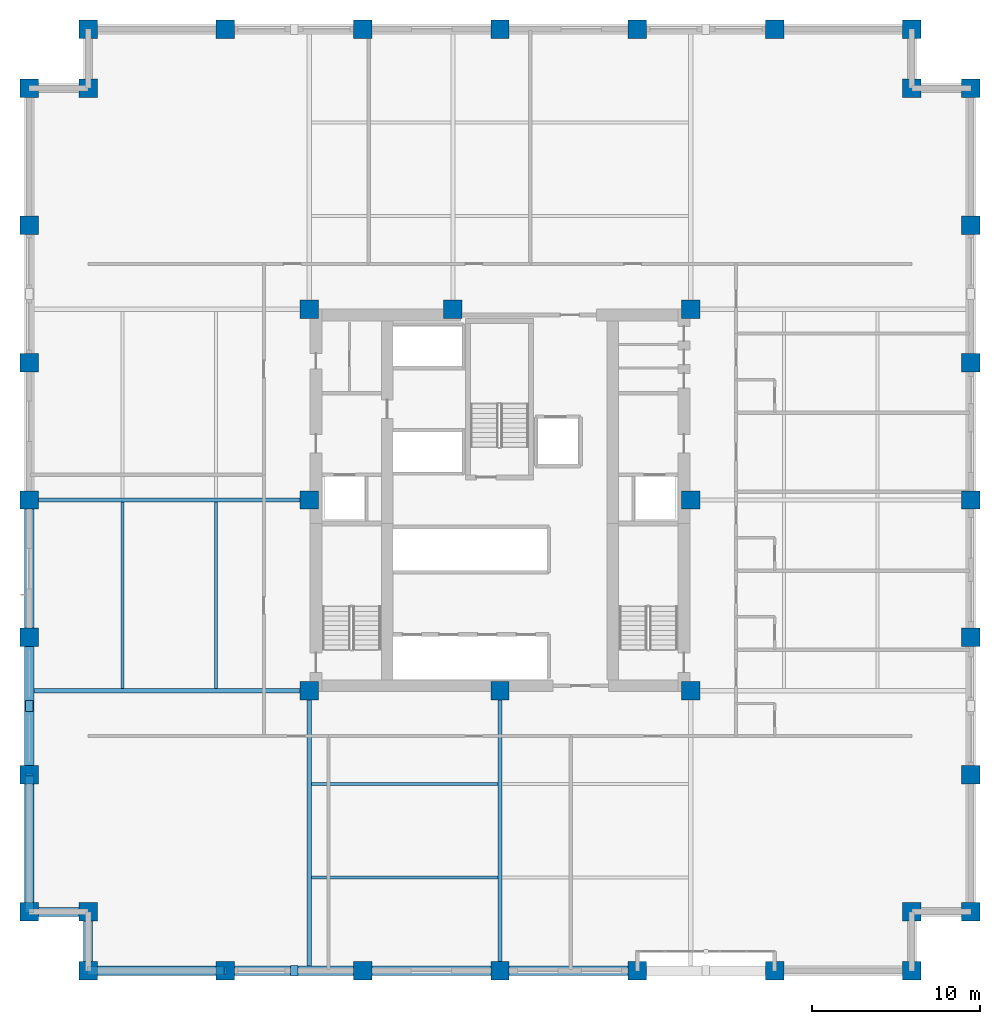
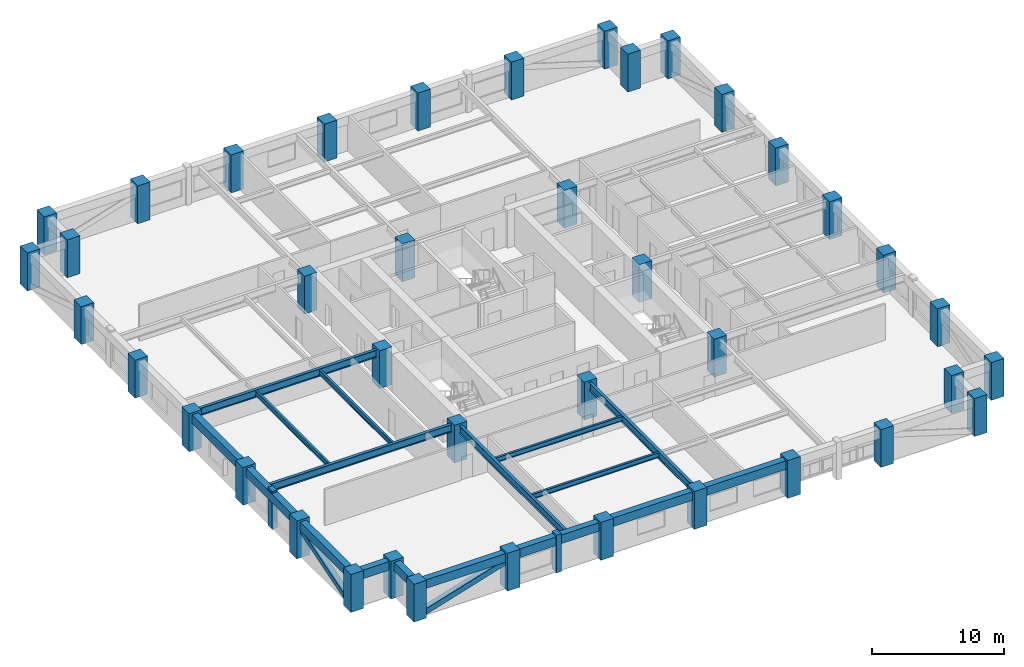
# One storey, part 1 of 11: 40 columns, 17 beams, 4 members.
"""IFC4 building model written with IfcOpenShell, lengths in metres."""

import ifcopenshell
import ifcopenshell.guid

model = None  # the IFC model being written
_history = None  # IfcOwnerHistory: only IFC2X3 demands one
_inside = {}  # id of a spatial element -> (the spatial element, [elements in it])
_under = {}  # id of a project, library or spatial element -> (it, [spatial elements below it])
_declared = {}  # id of a project -> (the project, [libraries it declares])
_typed = {}  # id of a type object -> (the type object, [elements of that type])
_made_of = {}  # id of a material, layer set ... -> (it, [elements and type objects made of it])


def new_model(schema):
    """Start an empty IFC model of exactly this schema.

    Asked for "IFC4X3", IfcOpenShell would pick the latest addendum, in which some entities
    have other attributes; the version numbers below select the first issue.
    IFC2X3 requires an IfcOwnerHistory on every rooted entity: one is made here for all.
    """
    global model, _history
    if schema == "IFC4X3":
        model = ifcopenshell.file(schema_version=(4, 3, 0, 0))
    else:
        model = ifcopenshell.file(schema=schema)
    _inside.clear()
    _under.clear()
    _declared.clear()
    _typed.clear()
    _made_of.clear()
    _history = None
    if model.schema == "IFC2X3":
        org = make("IfcOrganization", Name="unknown")
        user = make(
            "IfcPersonAndOrganization",
            ThePerson=make("IfcPerson", FamilyName="unknown"),
            TheOrganization=org,
        )
        app = make(
            "IfcApplication",
            ApplicationDeveloper=org,
            Version="unknown",
            ApplicationFullName="unknown",
            ApplicationIdentifier="unknown",
        )
        _history = make(
            "IfcOwnerHistory",
            OwningUser=user,
            OwningApplication=app,
            ChangeAction="ADDED",
            CreationDate=0,
        )
    return model


def make(cls, **values):
    """One entity of the class cls with the attributes given. An attribute that is None is left unset."""
    return model.create_entity(
        cls, **{name: value for name, value in values.items() if value is not None}
    )


def rooted(cls, **values):
    """An entity with a GlobalId (a new one), such as an element, a storey or a relation."""
    return make(cls, GlobalId=ifcopenshell.guid.new(), OwnerHistory=_history, **values)


def si_unit(unit_type, name, prefix=None):
    """IfcSIUnit, for example si_unit("LENGTHUNIT", "METRE", prefix="MILLI")."""
    return make("IfcSIUnit", UnitType=unit_type, Prefix=prefix, Name=name)


def assignment(units):
    """IfcUnitAssignment: the units of a project."""
    return None if units is None else make("IfcUnitAssignment", Units=units)


def point(xyz):
    """IfcCartesianPoint."""
    return None if xyz is None else make("IfcCartesianPoint", Coordinates=xyz)


def direction(xyz):
    """IfcDirection."""
    return None if xyz is None else make("IfcDirection", DirectionRatios=xyz)


def frame(location, z_axis=None, x_axis=None):
    """IfcAxis2Placement3D, a coordinate frame: its origin and axes. An axis left out is left unset."""
    return make(
        "IfcAxis2Placement3D",
        Location=point(location),
        Axis=direction(z_axis),
        RefDirection=direction(x_axis),
    )


def frame_2d(location, x_axis=None):
    """IfcAxis2Placement2D, a coordinate frame in the plane: its origin and x axis."""
    return make(
        "IfcAxis2Placement2D", Location=point(location), RefDirection=direction(x_axis)
    )


def origin():
    """The frame at (0, 0, 0) with its axes left unset."""
    return frame((0.0, 0.0, 0.0))


def origin_2d():
    """The frame at (0, 0) in the plane with its x axis left unset."""
    return frame_2d((0.0, 0.0))


def place(relative_to, where):
    """IfcLocalPlacement: puts the frame where relative to a parent placement (None: the world)."""
    return make(
        "IfcLocalPlacement", PlacementRelTo=relative_to, RelativePlacement=where
    )


def context(
    kind, dimensions, precision=None, world=None, true_north=None, identifier=None
):
    """IfcGeometricRepresentationContext, for example the 3D "Model" context."""
    return make(
        "IfcGeometricRepresentationContext",
        ContextIdentifier=identifier,
        ContextType=kind,
        CoordinateSpaceDimension=dimensions,
        Precision=precision,
        WorldCoordinateSystem=world,
        TrueNorth=true_north,
    )


def subcontext(parent, identifier, kind, view, scale=None):
    """IfcGeometricRepresentationSubContext, for example "Body" below "Model"."""
    return make(
        "IfcGeometricRepresentationSubContext",
        ContextIdentifier=identifier,
        ContextType=kind,
        ParentContext=parent,
        TargetScale=scale,
        TargetView=view,
    )


def project(units=None, contexts=None):
    """IfcProject with its units and contexts."""
    return rooted(
        "IfcProject",
        Name="project",
        RepresentationContexts=contexts,
        UnitsInContext=assignment(units),
    )


def spatial(cls, under=None, at=None, **own):
    """A site, building, storey or space (cls), placed at a placement, below another one or the project."""
    s = rooted(cls, ObjectPlacement=at, **own)
    if under is not None:
        _under.setdefault(under.id(), (under, []))[1].append(s)
    return s


def profile(cls, at=None, kind="AREA", **sizes):
    """A parametric profile (cls). Its sizes go by their IFC names, for example OverallWidth=200.0."""
    return make(cls, ProfileType=kind, Position=at, **sizes)


def rectangle(**sizes):
    """IfcRectangleProfileDef."""
    return profile("IfcRectangleProfileDef", **sizes)


def hollow_rectangle(**sizes):
    """IfcRectangleHollowProfileDef."""
    return profile("IfcRectangleHollowProfileDef", **sizes)


def i_section(**sizes):
    """IfcIShapeProfileDef."""
    return profile("IfcIShapeProfileDef", **sizes)


def extrude(swept, where, along, depth):
    """IfcExtrudedAreaSolid: the profile swept, set in the frame where, extruded along a direction by depth."""
    return make(
        "IfcExtrudedAreaSolid",
        SweptArea=swept,
        Position=where,
        ExtrudedDirection=direction(along),
        Depth=depth,
    )


def shape(context_of_items, identifier, shape_type, items):
    """IfcShapeRepresentation: the items that make up one representation, for example the "Body"."""
    return make(
        "IfcShapeRepresentation",
        ContextOfItems=context_of_items,
        RepresentationIdentifier=identifier,
        RepresentationType=shape_type,
        Items=items,
    )


def material(Name=None, Category=None):
    """IfcMaterial."""
    return make("IfcMaterial", Name=Name, Category=Category)


def material_profile(
    of_material, cross_section, Name=None, Category=None, Priority=None
):
    """IfcMaterialProfile: a cross section and its material."""
    return make(
        "IfcMaterialProfile",
        Name=Name,
        Material=of_material,
        Profile=cross_section,
        Priority=Priority,
        Category=Category,
    )


def profile_set(profiles, Name=None, composite=None):
    """IfcMaterialProfileSet."""
    return make(
        "IfcMaterialProfileSet",
        Name=Name,
        MaterialProfiles=profiles,
        CompositeProfile=composite,
    )


def made_of(thing, what):
    """Note that an element or type object is made of a material, layer set ...; save() writes the relation."""
    if what is not None:
        _made_of.setdefault(what.id(), (what, []))[1].append(thing)
    return thing


def type_object(cls, material=None, **own):
    """A type object (cls), such as IfcWallType, which elements share."""
    return made_of(rooted(cls, **own), material)


def element(
    cls,
    number,
    at=None,
    inside=None,
    cuts=None,
    type_object=None,
    material=None,
    context=None,
    identifier="Body",
    shape_type=None,
    held_by="IfcProductDefinitionShape",
    body=None,
    shapes=None,
    **own,
):
    """One element of the class cls, such as IfcWall. Its Tag is "e" and its number.

    at: its placement. inside: the storey or other place that contains it. cuts: it is an
    opening in that element (IfcRelVoidsElement). A single representation is given by context,
    identifier, shape_type and body (its items); several are given by shapes. held_by: the class
    of the entity that holds the representations. save() writes the other relations.
    """
    e = rooted(cls, Tag="e%d" % number, ObjectPlacement=at, **own)
    if body is not None:
        shapes = [shape(context, identifier, shape_type, body)]
    if shapes is not None:
        e.Representation = make(held_by, Representations=shapes)
    if inside is not None:
        _inside.setdefault(inside.id(), (inside, []))[1].append(e)
    if cuts is not None:
        rooted(
            "IfcRelVoidsElement", RelatingBuildingElement=cuts, RelatedOpeningElement=e
        )
    if type_object is not None:
        _typed.setdefault(type_object.id(), (type_object, []))[1].append(e)
    return made_of(e, material)


def aggregate(whole, parts):
    """IfcRelAggregates: a whole, such as a stair, and the parts it consists of."""
    return rooted("IfcRelAggregates", RelatingObject=whole, RelatedObjects=parts)


def save(model, path):
    """Write the relations noted so far, then the file.

    IfcRelAggregates (storeys below a building ...), IfcRelContainedInSpatialStructure (elements
    in a storey), IfcRelDefinesByType, IfcRelAssociatesMaterial and IfcRelDeclares: one each for
    every whole, place, type object, material and project.
    """
    for whole, parts in _under.values():
        aggregate(whole, parts)
    for where, things in _inside.values():
        rooted(
            "IfcRelContainedInSpatialStructure",
            RelatedElements=things,
            RelatingStructure=where,
        )
    for kind, things in _typed.values():
        rooted("IfcRelDefinesByType", RelatedObjects=things, RelatingType=kind)
    for what, things in _made_of.values():
        rooted("IfcRelAssociatesMaterial", RelatedObjects=things, RelatingMaterial=what)
    for by, libraries in _declared.values():
        rooted("IfcRelDeclares", RelatingContext=by, RelatedDefinitions=libraries)
    model.write(path)


model = new_model("IFC4")

# Units and contexts
model_context = context("Model", 3, precision=1e-05, world=origin(), true_north=direction((0.0, 1.0)))
body_context = subcontext(model_context, "Body", "Model", "MODEL_VIEW")
ifc_project = project(units=[si_unit("LENGTHUNIT", "METRE"), si_unit("AREAUNIT", "SQUARE_METRE"), si_unit("VOLUMEUNIT", "CUBIC_METRE"), si_unit("PLANEANGLEUNIT", "RADIAN"), si_unit("MASSUNIT", "GRAM", prefix="KILO")], contexts=[model_context])

# Site, building, storey
site_placement = place(None, origin())
site = spatial("IfcSite", under=ifc_project, at=site_placement, CompositionType="ELEMENT")
building_placement = place(site_placement, origin())
building = spatial("IfcBuilding", under=site, at=building_placement, Name="Nhamokura Convention Tower", CompositionType="ELEMENT")
storey_placement = place(building_placement, frame((0.0, 0.0, 70.35009765625)))
storey = spatial("IfcBuildingStorey", under=building, at=storey_placement, Name="L16", CompositionType="ELEMENT", Elevation=70.35009765625)

# Columns
ifc_material_1 = material(Name="Concrete C60/75", Category="concrete")
ifc_material_profile_1 = material_profile(ifc_material_1, rectangle(XDim=1.10009765625, YDim=1.10009765625, at=origin_2d()))
ifc_profile_set_1 = profile_set([ifc_material_profile_1], Name="Concrete C60/75")
column_type = type_object("IfcColumnType", Name="TubeColumn_Z1_1100", PredefinedType="COLUMN", material=ifc_profile_set_1)
for number, where, z_axis, x_axis, name in (
    (1, (20.64990234375, 20.64990234375, 0.0), (0.0, 0.0, 1.0), (1.0, 0.0, 0.0), "L16 Core Column CC-SW"),
    (2, (32.0, 20.64990234375, 0.0), (0.0, 0.0, 1.0), (1.0, 0.0, 0.0), "L16 Core Column CC-S"),
    (3, (43.35009765625, 20.64990234375, 0.0), (0.0, 0.0, 1.0), (1.0, 0.0, 0.0), "L16 Core Column CC-SE"),
    (4, (43.35009765625, 32.0, 0.0), (0.0, 0.0, 1.0), (1.0, 0.0, 0.0), "L16 Core Column CC-E"),
    (5, (43.35009765625, 43.35009765625, 0.0), (0.0, 0.0, 1.0), (1.0, 0.0, 0.0), "L16 Core Column CC-NE"),
    (6, (29.199951171875, 43.35009765625, 0.0), (0.0, 0.0, 1.0), (1.0, 0.0, 0.0), "L16 Core Column CC-N"),
    (7, (20.64990234375, 43.35009765625, 0.0), (0.0, 0.0, 1.0), (1.0, 0.0, 0.0), "L16 Core Column CC-NW"),
    (8, (20.64990234375, 32.0, 0.0), (0.0, 0.0, 1.0), (1.0, 0.0, 0.0), "L16 Core Column CC-W"),
    (9, (7.5, 4.0, 0.0), (0.0, 0.0, 1.0), (1.0, 0.0, 0.0), "L16 Perimeter Tube Column SW1"),
    (10, (7.5, 7.5, 0.0), (0.0, 0.0, 1.0), (1.0, 0.0, 0.0), "L16 Perimeter Tube Column SW0"),
    (11, (4.0, 7.5, 0.0), (0.0, 0.0, 1.0), (1.0, 0.0, 0.0), "L16 Perimeter Tube Column SW2"),
    (12, (56.5, 4.0, 0.0), (0.0, 0.0, 1.0), (1.0, 0.0, 0.0), "L16 Perimeter Tube Column SE1"),
    (13, (56.5, 7.5, 0.0), (0.0, 0.0, 1.0), (1.0, 0.0, 0.0), "L16 Perimeter Tube Column SE0"),
    (14, (60.0, 7.5, 0.0), (0.0, 0.0, 1.0), (1.0, 0.0, 0.0), "L16 Perimeter Tube Column SE2"),
    (15, (60.0, 56.5, 0.0), (0.0, 0.0, 1.0), (1.0, 0.0, 0.0), "L16 Perimeter Tube Column NE1"),
    (16, (56.5, 56.5, 0.0), (0.0, 0.0, 1.0), (1.0, 0.0, 0.0), "L16 Perimeter Tube Column NE0"),
    (17, (56.5, 60.0, 0.0), (0.0, 0.0, 1.0), (1.0, 0.0, 0.0), "L16 Perimeter Tube Column NE2"),
    (18, (7.5, 60.0, 0.0), (0.0, 0.0, 1.0), (1.0, 0.0, 0.0), "L16 Perimeter Tube Column NW1"),
    (19, (7.5, 56.5, 0.0), (0.0, 0.0, 1.0), (1.0, 0.0, 0.0), "L16 Perimeter Tube Column NW0"),
    (20, (4.0, 56.5, 0.0), (0.0, 0.0, 1.0), (1.0, 0.0, 0.0), "L16 Perimeter Tube Column NW2"),
    (21, (15.666748046875, 4.0, 0.0), (0.0, 0.0, 1.0), (1.0, 0.0, 0.0), "L16 Perimeter Tube Column S1"),
    (22, (15.666748046875, 60.0, 0.0), (0.0, 0.0, 1.0), (1.0, 0.0, 0.0), "L16 Perimeter Tube Column N1"),
    (23, (4.0, 15.666748046875, 0.0), (0.0, 0.0, 1.0), (1.0, 0.0, 0.0), "L16 Perimeter Tube Column W1"),
    (24, (60.0, 15.666748046875, 0.0), (0.0, 0.0, 1.0), (1.0, 0.0, 0.0), "L16 Perimeter Tube Column E1"),
    (25, (23.833251953125, 4.0, 0.0), (0.0, 0.0, 1.0), (1.0, 0.0, 0.0), "L16 Perimeter Tube Column S2"),
    (26, (23.833251953125, 60.0, 0.0), (0.0, 0.0, 1.0), (1.0, 0.0, 0.0), "L16 Perimeter Tube Column N2"),
    (27, (4.0, 23.833251953125, 0.0), (0.0, 0.0, 1.0), (1.0, 0.0, 0.0), "L16 Perimeter Tube Column W2"),
    (28, (60.0, 23.833251953125, 0.0), (0.0, 0.0, 1.0), (1.0, 0.0, 0.0), "L16 Perimeter Tube Column E2"),
    (29, (32.0, 4.0, 0.0), (0.0, 0.0, 1.0), (1.0, 0.0, 0.0), "L16 Perimeter Tube Column S3"),
    (30, (32.0, 60.0, 0.0), (0.0, 0.0, 1.0), (1.0, 0.0, 0.0), "L16 Perimeter Tube Column N3"),
    (31, (4.0, 32.0, 0.0), (0.0, 0.0, 1.0), (1.0, 0.0, 0.0), "L16 Perimeter Tube Column W3"),
    (32, (60.0, 32.0, 0.0), (0.0, 0.0, 1.0), (1.0, 0.0, 0.0), "L16 Perimeter Tube Column E3"),
    (33, (40.166748046875, 4.0, 0.0), (0.0, 0.0, 1.0), (1.0, 0.0, 0.0), "L16 Perimeter Tube Column S4"),
    (34, (40.166748046875, 60.0, 0.0), (0.0, 0.0, 1.0), (1.0, 0.0, 0.0), "L16 Perimeter Tube Column N4"),
    (35, (4.0, 40.166748046875, 0.0), (0.0, 0.0, 1.0), (1.0, 0.0, 0.0), "L16 Perimeter Tube Column W4"),
    (36, (60.0, 40.166748046875, 0.0), (0.0, 0.0, 1.0), (1.0, 0.0, 0.0), "L16 Perimeter Tube Column E4"),
    (37, (48.333251953125, 4.0, 0.0), (0.0, 0.0, 1.0), (1.0, 0.0, 0.0), "L16 Perimeter Tube Column S5"),
    (38, (48.333251953125, 60.0, 0.0), (0.0, 0.0, 1.0), (1.0, 0.0, 0.0), "L16 Perimeter Tube Column N5"),
    (39, (4.0, 48.333251953125, 0.0), (0.0, 0.0, 1.0), (1.0, 0.0, 0.0), "L16 Perimeter Tube Column W5"),
    (40, (60.0, 48.333251953125, 0.0), (0.0, 0.0, 1.0), (1.0, 0.0, 0.0), "L16 Perimeter Tube Column E5"),
):
    element("IfcColumn", number, at=place(storey_placement, frame(where, z_axis=z_axis, x_axis=x_axis)), inside=storey, type_object=column_type, Name=name, PredefinedType="COLUMN", context=body_context, shape_type="SweptSolid", body=[
        extrude(rectangle(XDim=1.10009765625, YDim=1.10009765625, at=origin_2d()), origin(), (0.0, 0.0, 1.0), 3.5),
    ])

# Members
ifc_material_2 = material(Name="Bronze-pigmented precast concrete C45/55", Category="concrete")
ifc_material_profile_2 = material_profile(ifc_material_2, rectangle(XDim=0.449951171875, YDim=0.64990234375, at=origin_2d()))
ifc_profile_set_2 = profile_set([ifc_material_profile_2], Name="Bronze-pigmented precast concrete C45/55")
member_type_1 = type_object("IfcMemberType", Name="BronzePilaster_650", PredefinedType="USERDEFINED", material=ifc_profile_set_2)
for number, where, z_axis, x_axis, name in (
    (41, (19.75, 4.0, 0.0), (0.0, 0.0, 1.0), (1.0, 0.0, 0.0), "L16 Engaged Frame Pilaster SOUTH 1"),
    (42, (4.0, 19.75, 0.0), (0.0, 0.0, 1.0), (1.0, 0.0, 0.0), "L16 Engaged Frame Pilaster WEST 1"),
):
    element("IfcMember", number, at=place(storey_placement, frame(where, z_axis=z_axis, x_axis=x_axis)), inside=storey, type_object=member_type_1, Name=name, ObjectType="PILASTER_TRIM", PredefinedType="USERDEFINED", context=body_context, shape_type="SweptSolid", body=[
        extrude(rectangle(XDim=0.449951171875, YDim=0.64990234375, at=origin_2d()), origin(), (0.0, 0.0, 1.0), 3.5),
    ])

# Beams
ifc_material_3 = material(Name="Steel ASTM A992 Gr 50", Category="steel")
ifc_material_profile_3 = material_profile(ifc_material_3, i_section(OverallWidth=0.18994140625, OverallDepth=0.45703125, WebThickness=0.009033203125, FlangeThickness=0.014404296875, at=origin_2d()))
ifc_profile_set_3 = profile_set([ifc_material_profile_3], Name="Steel ASTM A992 Gr 50")
beam_type_1 = type_object("IfcBeamType", Name="FloorJoist_W460X74", PredefinedType="JOIST", material=ifc_profile_set_3)
for number, where, z_axis, x_axis, name in (
    (43, (20.77587890625, 9.550048828125, 3.09130859375), (1.0, 0.0, 0.0), (0.0, 1.0, 0.0), "L16 Composite Floor Joist S1A"),
    (44, (20.77587890625, 15.10009765625, 3.09130859375), (1.0, 0.0, 0.0), (0.0, 1.0, 0.0), "L16 Composite Floor Joist S2A"),
    (45, (9.550048828125, 20.77587890625, 3.09130859375), (0.0, 1.0, 0.0), (-1.0, 0.0, 0.0), "L16 Composite Floor Joist W1A"),
    (46, (15.10009765625, 20.77587890625, 3.09130859375), (0.0, 1.0, 0.0), (-1.0, 0.0, 0.0), "L16 Composite Floor Joist W2A"),
):
    element("IfcBeam", number, at=place(storey_placement, frame(where, z_axis=z_axis, x_axis=x_axis)), inside=storey, type_object=beam_type_1, Name=name, PredefinedType="JOIST", context=body_context, shape_type="SweptSolid", body=[
        extrude(i_section(OverallWidth=0.18994140625, OverallDepth=0.45703125, WebThickness=0.009033203125, FlangeThickness=0.014404296875, at=origin_2d()), origin(), (0.0, 0.0, 1.0), 11.09814453125),
    ])
ifc_material_4 = material(Name="Steel ASTM A992 Gr 50", Category="steel")
ifc_material_profile_4 = material_profile(ifc_material_4, i_section(OverallWidth=0.256103515625, OverallDepth=0.693115234375, WebThickness=0.014404296875, FlangeThickness=0.023681640625, at=origin_2d()))
ifc_profile_set_4 = profile_set([ifc_material_profile_4], Name="Steel ASTM A992 Gr 50")
beam_type_2 = type_object("IfcBeamType", Name="PrimaryGirder_W690X170", PredefinedType="BEAM", material=ifc_profile_set_4)
for number, where, z_axis, x_axis, name in (
    (47, (20.64990234375, 4.0, 2.973388671875), (0.0, 1.0, 0.0), (-1.0, 0.0, 0.0), "L16 Primary Floor Girder PG-S1"),
    (48, (32.0, 4.0, 2.973388671875), (0.0, 1.0, 0.0), (-1.0, 0.0, 0.0), "L16 Primary Floor Girder PG-S2"),
    (49, (4.0, 20.64990234375, 2.973388671875), (1.0, 0.0, 0.0), (0.0, 1.0, 0.0), "L16 Primary Floor Girder PG-W1"),
    (50, (4.0, 32.0, 2.973388671875), (1.0, 0.0, 0.0), (0.0, 1.0, 0.0), "L16 Primary Floor Girder PG-W2"),
):
    element("IfcBeam", number, at=place(storey_placement, frame(where, z_axis=z_axis, x_axis=x_axis)), inside=storey, type_object=beam_type_2, Name=name, PredefinedType="BEAM", context=body_context, shape_type="SweptSolid", body=[
        extrude(i_section(OverallWidth=0.256103515625, OverallDepth=0.693115234375, WebThickness=0.014404296875, FlangeThickness=0.023681640625, at=origin_2d()), origin(), (0.0, 0.0, 1.0), 16.64990234375),
    ])

# Members
ifc_material_5 = material(Name="Steel ASTM A572 Gr 50", Category="steel")
ifc_material_profile_5 = material_profile(ifc_material_5, hollow_rectangle(XDim=0.5, YDim=0.5, WallThickness=0.02490234375, at=origin_2d()))
ifc_profile_set_5 = profile_set([ifc_material_profile_5], Name="Steel ASTM A572 Gr 50")
member_type_2 = type_object("IfcMemberType", Name="TubeBrace_HSS500", PredefinedType="BRACE", material=ifc_profile_set_5)
for number, where, z_axis, x_axis, name in (
    (51, (7.5, 4.0, 0.14990234375), (0.955542765986, 0.0, 0.294852543437), (0.0, 1.0, 0.0), "L16 Perimeter Tube Brace SOUTH Bay 0"),
    (52, (4.0, 7.5, 0.14990234375), (0.0, 0.955542765986, 0.294852543437), (-1.0, 0.0, 0.0), "L16 Perimeter Tube Brace WEST Bay 0"),
):
    element("IfcMember", number, at=place(storey_placement, frame(where, z_axis=z_axis, x_axis=x_axis)), inside=storey, type_object=member_type_2, Name=name, PredefinedType="BRACE", context=body_context, shape_type="SweptSolid", body=[
        extrude(hollow_rectangle(XDim=0.5, YDim=0.5, WallThickness=0.02490234375, at=origin_2d()), origin(), (0.0, 0.0, 1.0), 8.546630859375),
    ])

# Beams
ifc_material_6 = material(Name="Concrete C50/60", Category="concrete")
ifc_material_profile_6 = material_profile(ifc_material_6, rectangle(XDim=0.550048828125, YDim=0.800048828125, at=origin_2d()))
ifc_profile_set_6 = profile_set([ifc_material_profile_6], Name="Concrete C50/60")
beam_type_3 = type_object("IfcBeamType", Name="TubeSpandrel_800", PredefinedType="SPANDREL", material=ifc_profile_set_6)
beam_1_placement = place(storey_placement, frame((7.5, 4.0, 2.919921875), z_axis=(1.0, 0.0, 0.0), x_axis=(0.0, 1.0, 0.0)))
element("IfcBeam", 53, at=beam_1_placement, inside=storey, type_object=beam_type_3, Name="L16 Perimeter Spandrel SOUTH 1", PredefinedType="SPANDREL", context=body_context, shape_type="SweptSolid", body=[
    extrude(rectangle(XDim=0.550048828125, YDim=0.800048828125, at=origin_2d()), origin(), (0.0, 0.0, 1.0), 8.166748046875),
])
beam_2_placement = place(storey_placement, frame((15.666748046875, 4.0, 2.919921875), z_axis=(1.0, 0.0, 0.0), x_axis=(0.0, 1.0, 0.0)))
element("IfcBeam", 54, at=beam_2_placement, inside=storey, type_object=beam_type_3, Name="L16 Perimeter Spandrel SOUTH 2", PredefinedType="SPANDREL", context=body_context, shape_type="SweptSolid", body=[
    extrude(rectangle(XDim=0.550048828125, YDim=0.800048828125, at=origin_2d()), origin(), (0.0, 0.0, 1.0), 8.16650390625),
])
for number, where, z_axis, x_axis, name in (
    (55, (23.833251953125, 4.0, 2.919921875), (1.0, 0.0, 0.0), (0.0, 1.0, 0.0), "L16 Perimeter Spandrel SOUTH 3"),
    (56, (32.0, 4.0, 2.919921875), (1.0, 0.0, 0.0), (0.0, 1.0, 0.0), "L16 Perimeter Spandrel SOUTH 4"),
    (57, (4.0, 7.5, 2.919921875), (0.0, 1.0, 0.0), (-1.0, 0.0, 0.0), "L16 Perimeter Spandrel WEST 1"),
):
    element("IfcBeam", number, at=place(storey_placement, frame(where, z_axis=z_axis, x_axis=x_axis)), inside=storey, type_object=beam_type_3, Name=name, PredefinedType="SPANDREL", context=body_context, shape_type="SweptSolid", body=[
        extrude(rectangle(XDim=0.550048828125, YDim=0.800048828125, at=origin_2d()), origin(), (0.0, 0.0, 1.0), 8.166748046875),
    ])
beam_3_placement = place(storey_placement, frame((4.0, 15.666748046875, 2.919921875), z_axis=(0.0, 1.0, 0.0), x_axis=(-1.0, 0.0, 0.0)))
element("IfcBeam", 58, at=beam_3_placement, inside=storey, type_object=beam_type_3, Name="L16 Perimeter Spandrel WEST 2", PredefinedType="SPANDREL", context=body_context, shape_type="SweptSolid", body=[
    extrude(rectangle(XDim=0.550048828125, YDim=0.800048828125, at=origin_2d()), origin(), (0.0, 0.0, 1.0), 8.16650390625),
])
beam_4_placement = place(storey_placement, frame((4.0, 23.833251953125, 2.919921875), z_axis=(0.0, 1.0, 0.0), x_axis=(-1.0, 0.0, 0.0)))
element("IfcBeam", 59, at=beam_4_placement, inside=storey, type_object=beam_type_3, Name="L16 Perimeter Spandrel WEST 3", PredefinedType="SPANDREL", context=body_context, shape_type="SweptSolid", body=[
    extrude(rectangle(XDim=0.550048828125, YDim=0.800048828125, at=origin_2d()), origin(), (0.0, 0.0, 1.0), 8.166748046875),
])
for number, where, z_axis, x_axis, name in (
    (60, (7.5, 4.0, 2.919921875), (0.0, 1.0, 0.0), (-1.0, 0.0, 0.0), "L16 Notch Spandrel SW1"),
    (61, (7.5, 7.5, 2.919921875), (-1.0, 0.0, 0.0), (0.0, -1.0, 0.0), "L16 Notch Spandrel SW2"),
):
    element("IfcBeam", number, at=place(storey_placement, frame(where, z_axis=z_axis, x_axis=x_axis)), inside=storey, type_object=beam_type_3, Name=name, PredefinedType="SPANDREL", context=body_context, shape_type="SweptSolid", body=[
        extrude(rectangle(XDim=0.550048828125, YDim=0.800048828125, at=origin_2d()), origin(), (0.0, 0.0, 1.0), 3.5),
    ])

save(model, "model.ifc")
